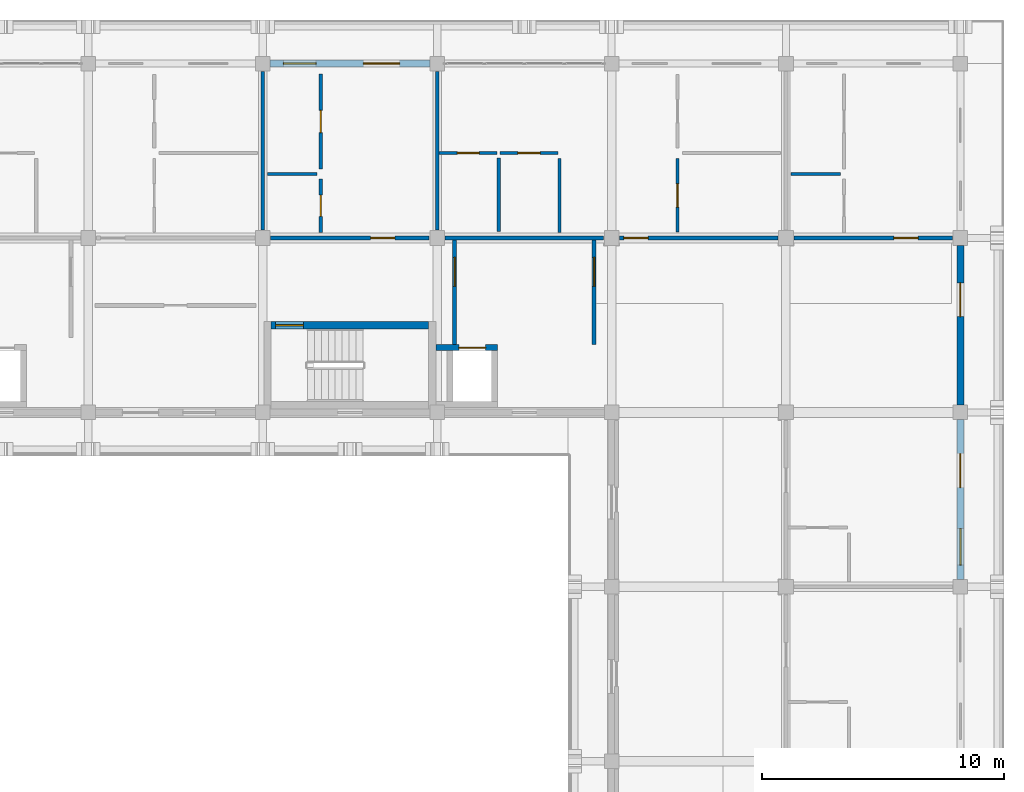
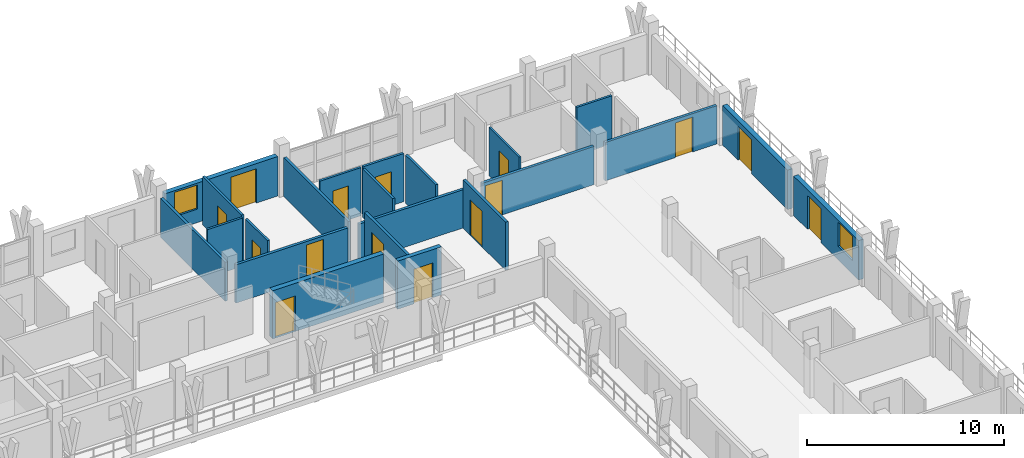
# One storey, part 59 of 76: 22 walls, 15 doors, 2 windows, 17 openings.
"""IFC4 building model written with IfcOpenShell, lengths in metres."""

from ifc_helpers import new_model, si_unit, direction, frame, frame_2d, origin, place, context, subcontext, project, spatial, rectangle, extrude, material, layer, layer_set, type_object, element, fill, save


model = new_model("IFC4")

# Units and contexts
model_context = context("Model", 3, precision=1e-05, world=origin(), true_north=direction((0.0, 1.0)))
body_context = subcontext(model_context, "Body", "Model", "MODEL_VIEW")
ifc_project = project(units=[si_unit("LENGTHUNIT", "METRE"), si_unit("AREAUNIT", "SQUARE_METRE"), si_unit("VOLUMEUNIT", "CUBIC_METRE"), si_unit("PLANEANGLEUNIT", "RADIAN"), si_unit("MASSUNIT", "GRAM", prefix="KILO")], contexts=[model_context])

# Site, building, storey
site_placement = place(None, origin())
site = spatial("IfcSite", under=ifc_project, at=site_placement, CompositionType="ELEMENT")
building_placement = place(site_placement, origin())
building = spatial("IfcBuilding", under=site, at=building_placement, Name="Suanplinth Sawtooth Commons", CompositionType="ELEMENT")
storey_placement = place(building_placement, frame((0.0, 0.0, 12.199951171875)))
storey = spatial("IfcBuildingStorey", under=building, at=storey_placement, Name="L03", CompositionType="ELEMENT", Elevation=12.199951171875)

# Wall, opening, door
ifc_material_1 = material(Name="Concrete C40/50", Category="concrete")
ifc_layer_1 = layer(ifc_material_1, 0.300048828125, Name="Standard RC stair and lift core wall 300mm")
ifc_layer_set_1 = layer_set([ifc_layer_1], Name="Concrete C40/50")
wall_type_1 = type_object("IfcWallType", Name="W-CR02", PredefinedType="SHEAR", material=ifc_layer_set_1)
wall_1_placement = place(storey_placement, frame((158.75, 111.60009765625, 0.0), z_axis=(0.0, 0.0, 1.0), x_axis=(1.0, 0.0, 0.0)))
wall_1 = element("IfcWall", 1, at=wall_1_placement, inside=storey, type_object=wall_type_1, Name="W-L03-C-B2-STN", PredefinedType="SHEAR", context=body_context, shape_type="SweptSolid", body=[
    extrude(rectangle(XDim=6.5, YDim=0.300048828125, at=frame_2d((3.25, 0.0))), origin(), (0.0, 0.0, 1.0), 2.97998046875),
])
opening_1_placement = place(wall_1_placement, frame((0.179931640625, 0.0, 0.0)))
opening_1 = element("IfcOpeningElement", 2, at=opening_1_placement, cuts=wall_1, Name="Opening FD0236", PredefinedType="OPENING", context=body_context, shape_type="SweptSolid", body=[
    extrude(rectangle(XDim=1.14990234375, YDim=2.199951171875, at=frame_2d((0.574951171875, 1.10009765625))), frame((0.0, 0.1650390625, 0.0), z_axis=(0.0, -1.0, 0.0), x_axis=(1.0, 0.0, 0.0)), (0.0, 0.0, 1.0), 0.329833984375),
])
ifc_material_2 = material(Name="Teak hardwood fire-rated door assembly", Category="wood")
door_type_1 = type_object("IfcDoorType", Name="FD-01", OperationType="NOTDEFINED", PredefinedType="DOOR", material=ifc_material_2)
door_1_placement = place(opening_1_placement, frame((1.14990234375, 0.0, 0.0), z_axis=(0.0, 0.0, 1.0), x_axis=(-1.0, 0.0, 0.0)))
door_1 = element("IfcDoor", 3, at=door_1_placement, inside=storey, type_object=door_type_1, Name="Exit Stair Fire Door FD0236", OperationType="SINGLE_SWING_LEFT", OverallHeight=2.199951171875, OverallWidth=1.14990234375, PredefinedType="DOOR", context=body_context, shape_type="SweptSolid", body=[
    extrude(rectangle(XDim=1.14990234375, YDim=2.199951171875, at=frame_2d((0.574951171875, 1.10009765625))), frame((0.0, 0.02490234375, 0.0), z_axis=(0.0, -1.0, 0.0), x_axis=(1.0, 0.0, 0.0)), (0.0, 0.0, 1.0), 0.050048828125),
])
fill(opening_1, door_1)

# Wall, openings, door, window
ifc_material_3 = material(Name="Precast concrete C40/50", Category="concrete")
ifc_layer_2 = layer(ifc_material_3, 0.280029296875, Name="Insulated precast architectural facade wall 280mm")
ifc_layer_set_2 = layer_set([ifc_layer_2], Name="Precast concrete C40/50")
wall_type_2 = type_object("IfcWallType", Name="W-EX01", PredefinedType="ELEMENTEDWALL", material=ifc_layer_set_2)
wall_2_placement = place(storey_placement, frame((158.699951171875, 122.39990234375, 0.0), z_axis=(0.0, 0.0, 1.0), x_axis=(1.0, 0.0, 0.0)))
wall_2 = element("IfcWall", 4, at=wall_2_placement, inside=storey, type_object=wall_type_2, Name="Facade Wall W-L03-B-N-22-16", PredefinedType="ELEMENTEDWALL", context=body_context, shape_type="SweptSolid", body=[
    extrude(rectangle(XDim=6.60009765625, YDim=0.280029296875, at=frame_2d((3.300048828125, 0.0))), origin(), (0.0, 0.0, 1.0), 2.445068359375),
])
opening_2_placement = place(wall_2_placement, frame((3.85009765625, 0.0, 0.0)))
opening_2 = element("IfcOpeningElement", 5, at=opening_2_placement, cuts=wall_2, Name="Opening ED0253", PredefinedType="OPENING", context=body_context, shape_type="SweptSolid", body=[
    extrude(rectangle(XDim=1.5, YDim=2.1201171875, at=frame_2d((0.75, 1.06005859375))), frame((0.0, 0.15478515625, 0.0), z_axis=(0.0, -1.0, 0.0), x_axis=(1.0, 0.0, 0.0)), (0.0, 0.0, 1.0), 0.309814453125),
])
opening_3_placement = place(wall_2_placement, frame((0.550048828125, 0.0, 0.8349609375)))
opening_3 = element("IfcOpeningElement", 6, at=opening_3_placement, cuts=wall_2, Name="Opening W0362", PredefinedType="OPENING", context=body_context, shape_type="SweptSolid", body=[
    extrude(rectangle(XDim=1.35009765625, YDim=1.5, at=frame_2d((0.675048828125, 0.75))), frame((0.0, 0.15478515625, 0.0), z_axis=(0.0, -1.0, 0.0), x_axis=(1.0, 0.0, 0.0)), (0.0, 0.0, 1.0), 0.309814453125),
])
ifc_material_4 = material(Name="Anodized aluminium and low-E glass", Category="aluminium")
door_type_2 = type_object("IfcDoorType", Name="SD-03", OperationType="SLIDING_TO_LEFT", PredefinedType="DOOR", material=ifc_material_4)
door_2_placement = place(opening_2_placement, frame((1.5, 0.0, 0.0), z_axis=(0.0, 0.0, 1.0), x_axis=(-1.0, 0.0, 0.0)))
door_2 = element("IfcDoor", 7, at=door_2_placement, inside=storey, type_object=door_type_2, Name="Balcony Sliding Door L03-B-22", OperationType="SLIDING_TO_LEFT", OverallHeight=2.1201171875, OverallWidth=1.5, PredefinedType="DOOR", context=body_context, shape_type="SweptSolid", body=[
    extrude(rectangle(XDim=1.5, YDim=2.1201171875, at=frame_2d((0.75, 1.06005859375))), frame((0.0, 0.02490234375, 0.0), z_axis=(0.0, -1.0, 0.0), x_axis=(1.0, 0.0, 0.0)), (0.0, 0.0, 1.0), 0.050048828125),
])
fill(opening_2, door_2)
ifc_material_5 = material(Name="Thermally broken aluminium and low-E double glazing", Category="aluminium")
window_type_1 = type_object("IfcWindowType", Name="WN-14", PartitioningType="SINGLE_PANEL", PredefinedType="WINDOW", material=ifc_material_5)
window_1_placement = place(opening_3_placement, origin())
window_1 = element("IfcWindow", 8, at=window_1_placement, inside=storey, type_object=window_type_1, Name="Apartment Window L03-B-22", OverallHeight=1.5, OverallWidth=1.35009765625, PartitioningType="SINGLE_PANEL", PredefinedType="WINDOW", context=body_context, shape_type="SweptSolid", body=[
    extrude(rectangle(XDim=1.35009765625, YDim=1.5, at=frame_2d((0.675048828125, 0.75))), frame((0.0, 0.030029296875, 0.0), z_axis=(0.0, -1.0, 0.0), x_axis=(1.0, 0.0, 0.0)), (0.0, 0.0, 1.0), 0.06005859375),
])
fill(opening_3, window_1)

wall_3_placement = place(storey_placement, frame((187.199951171875, 101.10009765625, 0.0), z_axis=(0.0, 0.0, 1.0), x_axis=(0.0, 1.0, 0.0)))
wall_3 = element("IfcWall", 9, at=wall_3_placement, inside=storey, type_object=wall_type_2, Name="Facade Wall W-L03-B-E-25-14", PredefinedType="ELEMENTEDWALL", context=body_context, shape_type="SweptSolid", body=[
    extrude(rectangle(XDim=6.599853515625, YDim=0.280029296875, at=frame_2d((3.2998046875, 0.0))), origin(), (0.0, 0.0, 1.0), 2.445068359375),
])
opening_4_placement = place(wall_3_placement, frame((3.800048828125, 0.0, 0.0)))
opening_4 = element("IfcOpeningElement", 10, at=opening_4_placement, cuts=wall_3, Name="Opening ED0263", PredefinedType="OPENING", context=body_context, shape_type="SweptSolid", body=[
    extrude(rectangle(XDim=1.39990234375, YDim=2.10009765625, at=frame_2d((0.699951171875, 1.050048828125))), frame((0.0, 0.15478515625, 0.0), z_axis=(0.0, -1.0, 0.0), x_axis=(1.0, 0.0, 0.0)), (0.0, 0.0, 1.0), 0.309814453125),
])
opening_5_placement = place(wall_3_placement, frame((0.60009765625, 0.0, 0.8349609375)))
opening_5 = element("IfcOpeningElement", 11, at=opening_5_placement, cuts=wall_3, Name="Opening W0369", PredefinedType="OPENING", context=body_context, shape_type="SweptSolid", body=[
    extrude(rectangle(XDim=1.5, YDim=1.5, at=frame_2d((0.75, 0.75))), frame((0.0, 0.15478515625, 0.0), z_axis=(0.0, -1.0, 0.0), x_axis=(1.0, 0.0, 0.0)), (0.0, 0.0, 1.0), 0.309814453125),
])
door_type_3 = type_object("IfcDoorType", Name="SD-07", OperationType="SLIDING_TO_RIGHT", PredefinedType="DOOR", material=ifc_material_4)
door_3_placement = place(opening_4_placement, frame((1.39990234375, 0.0, 0.0), z_axis=(0.0, 0.0, 1.0), x_axis=(-1.0, 0.0, 0.0)))
door_3 = element("IfcDoor", 12, at=door_3_placement, inside=storey, type_object=door_type_3, Name="Wing Balcony Sliding Door L03-B-14", OperationType="SLIDING_TO_RIGHT", OverallHeight=2.10009765625, OverallWidth=1.39990234375, PredefinedType="DOOR", context=body_context, shape_type="SweptSolid", body=[
    extrude(rectangle(XDim=1.39990234375, YDim=2.10009765625, at=frame_2d((0.699951171875, 1.050048828125))), frame((0.0, 0.02490234375, 0.0), z_axis=(0.0, -1.0, 0.0), x_axis=(1.0, 0.0, 0.0)), (0.0, 0.0, 1.0), 0.050048828125),
])
fill(opening_4, door_3)
window_type_2 = type_object("IfcWindowType", Name="WN-02", PartitioningType="DOUBLE_PANEL_VERTICAL", PredefinedType="WINDOW", material=ifc_material_5)
window_2_placement = place(opening_5_placement, origin())
window_2 = element("IfcWindow", 13, at=window_2_placement, inside=storey, type_object=window_type_2, Name="Wing Window L03-B-14", OverallHeight=1.5, OverallWidth=1.5, PartitioningType="DOUBLE_PANEL_VERTICAL", PredefinedType="WINDOW", context=body_context, shape_type="SweptSolid", body=[
    extrude(rectangle(XDim=1.5, YDim=1.5, at=frame_2d((0.75, 0.75))), frame((0.0, 0.030029296875, 0.0), z_axis=(0.0, -1.0, 0.0), x_axis=(1.0, 0.0, 0.0)), (0.0, 0.0, 1.0), 0.06005859375),
])
fill(opening_5, window_2)

# Wall, opening, door
wall_4_placement = place(storey_placement, frame((187.199951171875, 108.300048828125, 0.0), z_axis=(0.0, 0.0, 1.0), x_axis=(0.0, 1.0, 0.0)))
wall_4 = element("IfcWall", 14, at=wall_4_placement, inside=storey, type_object=wall_type_2, Name="Facade Wall W-L03-B-E-25-15", PredefinedType="ELEMENTEDWALL", context=body_context, shape_type="SweptSolid", body=[
    extrude(rectangle(XDim=6.599853515625, YDim=0.280029296875, at=frame_2d((3.2998046875, 0.0))), origin(), (0.0, 0.0, 1.0), 2.445068359375),
])
opening_6_placement = place(wall_4_placement, frame((3.64990234375, 0.0, 0.0)))
opening_6 = element("IfcOpeningElement", 15, at=opening_6_placement, cuts=wall_4, Name="Opening ED0264", PredefinedType="OPENING", context=body_context, shape_type="SweptSolid", body=[
    extrude(rectangle(XDim=1.39990234375, YDim=2.10009765625, at=frame_2d((0.699951171875, 1.050048828125))), frame((0.0, 0.15478515625, 0.0), z_axis=(0.0, -1.0, 0.0), x_axis=(1.0, 0.0, 0.0)), (0.0, 0.0, 1.0), 0.309814453125),
])
door_4_placement = place(opening_6_placement, frame((1.39990234375, 0.0, 0.0), z_axis=(0.0, 0.0, 1.0), x_axis=(-1.0, 0.0, 0.0)))
door_4 = element("IfcDoor", 16, at=door_4_placement, inside=storey, type_object=door_type_3, Name="End Balcony Sliding Door L03-B-E-25-15", OperationType="SLIDING_TO_RIGHT", OverallHeight=2.10009765625, OverallWidth=1.39990234375, PredefinedType="DOOR", context=body_context, shape_type="SweptSolid", body=[
    extrude(rectangle(XDim=1.39990234375, YDim=2.10009765625, at=frame_2d((0.699951171875, 1.050048828125))), frame((0.0, 0.02490234375, 0.0), z_axis=(0.0, -1.0, 0.0), x_axis=(1.0, 0.0, 0.0)), (0.0, 0.0, 1.0), 0.050048828125),
])
fill(opening_6, door_4)

ifc_layer_3 = layer(ifc_material_3, 0.159912109375, Name="Fire-rated corridor and lobby wall 160mm")
ifc_layer_set_3 = layer_set([ifc_layer_3], Name="Precast concrete C40/50")
wall_type_3 = type_object("IfcWallType", Name="W-FW01", PredefinedType="PARTITIONING", material=ifc_layer_set_3)
wall_5_placement = place(storey_placement, frame((166.320068359375, 110.800048828125, 0.0), z_axis=(0.0, 0.0, 1.0), x_axis=(0.0, 1.0, 0.0)))
wall_5 = element("IfcWall", 17, at=wall_5_placement, inside=storey, type_object=wall_type_3, Name="W-L03-C-B2-LOB-W", PredefinedType="PARTITIONING", context=body_context, shape_type="SweptSolid", body=[
    extrude(rectangle(XDim=4.320068359375, YDim=0.159912109375, at=frame_2d((2.16015625, 0.0))), origin(), (0.0, 0.0, 1.0), 2.97998046875),
])
opening_7_placement = place(wall_5_placement, frame((2.39990234375, 0.0, 0.0)))
opening_7 = element("IfcOpeningElement", 18, at=opening_7_placement, cuts=wall_5, Name="Opening FD0237", PredefinedType="OPENING", context=body_context, shape_type="SweptSolid", body=[
    extrude(rectangle(XDim=1.199951171875, YDim=2.199951171875, at=frame_2d((0.60009765625, 1.10009765625))), frame((0.0, 0.0947265625, 0.0), z_axis=(0.0, -1.0, 0.0), x_axis=(1.0, 0.0, 0.0)), (0.0, 0.0, 1.0), 0.189697265625),
])
door_type_4 = type_object("IfcDoorType", Name="FD-02", OperationType="NOTDEFINED", PredefinedType="DOOR", material=ifc_material_2)
door_5_placement = place(opening_7_placement, origin())
door_5 = element("IfcDoor", 19, at=door_5_placement, inside=storey, type_object=door_type_4, Name="Lobby Fire Door FD0237", OperationType="SINGLE_SWING_RIGHT", OverallHeight=2.199951171875, OverallWidth=1.199951171875, PredefinedType="DOOR", context=body_context, shape_type="SweptSolid", body=[
    extrude(rectangle(XDim=1.199951171875, YDim=2.199951171875, at=frame_2d((0.60009765625, 1.10009765625))), frame((0.0, 0.02490234375, 0.0), z_axis=(0.0, -1.0, 0.0), x_axis=(1.0, 0.0, 0.0)), (0.0, 0.0, 1.0), 0.050048828125),
])
fill(opening_7, door_5)

wall_6_placement = place(storey_placement, frame((172.080078125, 110.800048828125, 0.0), z_axis=(0.0, 0.0, 1.0), x_axis=(0.0, 1.0, 0.0)))
wall_6 = element("IfcWall", 20, at=wall_6_placement, inside=storey, type_object=wall_type_3, Name="W-L03-C-B2-LOB-E", PredefinedType="PARTITIONING", context=body_context, shape_type="SweptSolid", body=[
    extrude(rectangle(XDim=4.320068359375, YDim=0.159912109375, at=frame_2d((2.16015625, 0.0))), origin(), (0.0, 0.0, 1.0), 2.97998046875),
])
opening_8_placement = place(wall_6_placement, frame((2.39990234375, 0.0, 0.0)))
opening_8 = element("IfcOpeningElement", 21, at=opening_8_placement, cuts=wall_6, Name="Opening FD0238", PredefinedType="OPENING", context=body_context, shape_type="SweptSolid", body=[
    extrude(rectangle(XDim=1.199951171875, YDim=2.199951171875, at=frame_2d((0.60009765625, 1.10009765625))), frame((0.0, 0.0947265625, 0.0), z_axis=(0.0, -1.0, 0.0), x_axis=(1.0, 0.0, 0.0)), (0.0, 0.0, 1.0), 0.189697265625),
])
door_6_placement = place(opening_8_placement, frame((1.199951171875, 0.0, 0.0), z_axis=(0.0, 0.0, 1.0), x_axis=(-1.0, 0.0, 0.0)))
door_6 = element("IfcDoor", 22, at=door_6_placement, inside=storey, type_object=door_type_4, Name="Lobby Fire Door FD0238", OperationType="SINGLE_SWING_LEFT", OverallHeight=2.199951171875, OverallWidth=1.199951171875, PredefinedType="DOOR", context=body_context, shape_type="SweptSolid", body=[
    extrude(rectangle(XDim=1.199951171875, YDim=2.199951171875, at=frame_2d((0.60009765625, 1.10009765625))), frame((0.0, 0.02490234375, 0.0), z_axis=(0.0, -1.0, 0.0), x_axis=(1.0, 0.0, 0.0)), (0.0, 0.0, 1.0), 0.050048828125),
])
fill(opening_8, door_6)

wall_7_placement = place(storey_placement, frame((158.72998046875, 115.199951171875, 0.0), z_axis=(0.0, 0.0, 1.0), x_axis=(1.0, 0.0, 0.0)))
wall_7 = element("IfcWall", 23, at=wall_7_placement, inside=storey, type_object=wall_type_3, Name="W-B-L03-U04-COR", PredefinedType="PARTITIONING", context=body_context, shape_type="SweptSolid", body=[
    extrude(rectangle(XDim=6.5400390625, YDim=0.159912109375, at=frame_2d((3.27001953125, 0.0))), origin(), (0.0, 0.0, 1.0), 2.364990234375),
])
opening_9_placement = place(wall_7_placement, frame((4.1201171875, 0.0, 0.0)))
opening_9 = element("IfcOpeningElement", 24, at=opening_9_placement, cuts=wall_7, Name="Opening FD0935", PredefinedType="OPENING", context=body_context, shape_type="SweptSolid", body=[
    extrude(rectangle(XDim=1.0, YDim=2.14990234375, at=frame_2d((0.5, 1.074951171875))), frame((0.0, 0.0947265625, 0.0), z_axis=(0.0, -1.0, 0.0), x_axis=(1.0, 0.0, 0.0)), (0.0, 0.0, 1.0), 0.189697265625),
])
door_type_5 = type_object("IfcDoorType", Name="FD-03", OperationType="NOTDEFINED", PredefinedType="DOOR", material=ifc_material_2)
door_7_placement = place(opening_9_placement, origin())
door_7 = element("IfcDoor", 25, at=door_7_placement, inside=storey, type_object=door_type_5, Name="Unit Entrance Door FD0935", OperationType="SINGLE_SWING_LEFT", OverallHeight=2.14990234375, OverallWidth=1.0, PredefinedType="DOOR", context=body_context, shape_type="SweptSolid", body=[
    extrude(rectangle(XDim=1.0, YDim=2.14990234375, at=frame_2d((0.5, 1.074951171875))), frame((0.0, 0.02490234375, 0.0), z_axis=(0.0, -1.0, 0.0), x_axis=(1.0, 0.0, 0.0)), (0.0, 0.0, 1.0), 0.050048828125),
])
fill(opening_9, door_7)

# Wall
wall_8_placement = place(storey_placement, frame((165.929931640625, 115.199951171875, 0.0), z_axis=(0.0, 0.0, 1.0), x_axis=(1.0, 0.0, 0.0)))
element("IfcWall", 26, at=wall_8_placement, inside=storey, type_object=wall_type_3, Name="W-B-L03-U05-COR-S1", PredefinedType="PARTITIONING", context=body_context, shape_type="SweptSolid", body=[
    extrude(rectangle(XDim=6.5400390625, YDim=0.159912109375, at=frame_2d((3.27001953125, 0.0))), origin(), (0.0, 0.0, 1.0), 2.364990234375),
])

# Wall, opening, door
wall_9_placement = place(storey_placement, frame((173.1298828125, 115.199951171875, 0.0), z_axis=(0.0, 0.0, 1.0), x_axis=(1.0, 0.0, 0.0)))
wall_9 = element("IfcWall", 27, at=wall_9_placement, inside=storey, type_object=wall_type_3, Name="W-B-L03-U05-COR-S2", PredefinedType="PARTITIONING", context=body_context, shape_type="SweptSolid", body=[
    extrude(rectangle(XDim=6.5400390625, YDim=0.159912109375, at=frame_2d((3.27001953125, 0.0))), origin(), (0.0, 0.0, 1.0), 2.364990234375),
])
opening_10_placement = place(wall_9_placement, frame((0.179931640625, 0.0, 0.0)))
opening_10 = element("IfcOpeningElement", 28, at=opening_10_placement, cuts=wall_9, Name="Opening FD0938", PredefinedType="OPENING", context=body_context, shape_type="SweptSolid", body=[
    extrude(rectangle(XDim=1.0, YDim=2.14990234375, at=frame_2d((0.5, 1.074951171875))), frame((0.0, 0.0947265625, 0.0), z_axis=(0.0, -1.0, 0.0), x_axis=(1.0, 0.0, 0.0)), (0.0, 0.0, 1.0), 0.189697265625),
])
door_8_placement = place(opening_10_placement, origin())
door_8 = element("IfcDoor", 29, at=door_8_placement, inside=storey, type_object=door_type_5, Name="Unit Entrance Door FD0938", OperationType="SINGLE_SWING_RIGHT", OverallHeight=2.14990234375, OverallWidth=1.0, PredefinedType="DOOR", context=body_context, shape_type="SweptSolid", body=[
    extrude(rectangle(XDim=1.0, YDim=2.14990234375, at=frame_2d((0.5, 1.074951171875))), frame((0.0, 0.02490234375, 0.0), z_axis=(0.0, -1.0, 0.0), x_axis=(1.0, 0.0, 0.0)), (0.0, 0.0, 1.0), 0.050048828125),
])
fill(opening_10, door_8)

wall_10_placement = place(storey_placement, frame((180.330078125, 115.199951171875, 0.0), z_axis=(0.0, 0.0, 1.0), x_axis=(1.0, 0.0, 0.0)))
wall_10 = element("IfcWall", 30, at=wall_10_placement, inside=storey, type_object=wall_type_3, Name="W-B-L03-U06-COR", PredefinedType="PARTITIONING", context=body_context, shape_type="SweptSolid", body=[
    extrude(rectangle(XDim=6.5400390625, YDim=0.159912109375, at=frame_2d((3.27001953125, 0.0))), origin(), (0.0, 0.0, 1.0), 2.364990234375),
])
opening_11_placement = place(wall_10_placement, frame((4.1201171875, 0.0, 0.0)))
opening_11 = element("IfcOpeningElement", 31, at=opening_11_placement, cuts=wall_10, Name="Opening FD0943", PredefinedType="OPENING", context=body_context, shape_type="SweptSolid", body=[
    extrude(rectangle(XDim=1.0, YDim=2.14990234375, at=frame_2d((0.5, 1.074951171875))), frame((0.0, 0.0947265625, 0.0), z_axis=(0.0, -1.0, 0.0), x_axis=(1.0, 0.0, 0.0)), (0.0, 0.0, 1.0), 0.189697265625),
])
door_9_placement = place(opening_11_placement, origin())
door_9 = element("IfcDoor", 32, at=door_9_placement, inside=storey, type_object=door_type_5, Name="Unit Entrance Door FD0943", OperationType="SINGLE_SWING_LEFT", OverallHeight=2.14990234375, OverallWidth=1.0, PredefinedType="DOOR", context=body_context, shape_type="SweptSolid", body=[
    extrude(rectangle(XDim=1.0, YDim=2.14990234375, at=frame_2d((0.5, 1.074951171875))), frame((0.0, 0.02490234375, 0.0), z_axis=(0.0, -1.0, 0.0), x_axis=(1.0, 0.0, 0.0)), (0.0, 0.0, 1.0), 0.050048828125),
])
fill(opening_11, door_9)

# Walls
ifc_layer_4 = layer(ifc_material_3, 0.14990234375, Name="Acoustic precast party demising wall 150mm")
ifc_layer_set_4 = layer_set([ifc_layer_4], Name="Precast concrete C40/50")
wall_type_4 = type_object("IfcWallType", Name="W-FW02", PredefinedType="PARTITIONING", material=ifc_layer_set_4)
for number, where, z_axis, x_axis, name in (
    (33, (158.39990234375, 115.530029296875, 0.0), (0.0, 0.0, 1.0), (0.0, 1.0, 0.0), "W-B-L03-U03-PTY"),
    (34, (165.60009765625, 115.530029296875, 0.0), (0.0, 0.0, 1.0), (0.0, 1.0, 0.0), "W-B-L03-U04-PTY"),
):
    element("IfcWall", number, at=place(storey_placement, frame(where, z_axis=z_axis, x_axis=x_axis)), inside=storey, type_object=wall_type_4, Name=name, PredefinedType="PARTITIONING", context=body_context, shape_type="SweptSolid", body=[
        extrude(rectangle(XDim=6.5400390625, YDim=0.14990234375, at=frame_2d((3.27001953125, 0.0))), origin(), (0.0, 0.0, 1.0), 2.4150390625),
    ])

# Wall, opening, door
ifc_material_6 = material(Name="Gypsum plasterboard on steel stud", Category="steel")
ifc_layer_5 = layer(ifc_material_6, 0.139892578125, Name="Fire-rated kitchen partition 140mm")
ifc_layer_set_5 = layer_set([ifc_layer_5], Name="Gypsum plasterboard on steel stud")
wall_type_5 = type_object("IfcWallType", Name="W-PT01", PredefinedType="PARTITIONING", material=ifc_layer_set_5)
wall_11_placement = place(storey_placement, frame((160.794921875, 118.0400390625, 0.0), z_axis=(0.0, 0.0, 1.0), x_axis=(0.0, 1.0, 0.0)))
wall_11 = element("IfcWall", 35, at=wall_11_placement, inside=storey, type_object=wall_type_5, Name="W-B-L03-U04-KITE", PredefinedType="PARTITIONING", context=body_context, shape_type="SweptSolid", body=[
    extrude(rectangle(XDim=3.93994140625, YDim=0.139892578125, at=frame_2d((1.969970703125, 0.0))), origin(), (0.0, 0.0, 1.0), 2.97998046875),
])
opening_12_placement = place(wall_11_placement, frame((1.510009765625, 0.0, 0.0)))
opening_12 = element("IfcOpeningElement", 36, at=opening_12_placement, cuts=wall_11, Name="Opening D0937", PredefinedType="OPENING", context=body_context, shape_type="SweptSolid", body=[
    extrude(rectangle(XDim=0.919921875, YDim=2.10009765625, at=frame_2d((0.4599609375, 1.050048828125))), frame((0.0, 0.0849609375, 0.0), z_axis=(0.0, -1.0, 0.0), x_axis=(1.0, 0.0, 0.0)), (0.0, 0.0, 1.0), 0.169677734375),
])
ifc_material_7 = material(Name="Teak hardwood", Category="wood")
door_type_6 = type_object("IfcDoorType", Name="D-02", OperationType="NOTDEFINED", PredefinedType="DOOR", material=ifc_material_7)
door_10_placement = place(opening_12_placement, origin())
door_10 = element("IfcDoor", 37, at=door_10_placement, inside=storey, type_object=door_type_6, Name="Kitchen Door D0937", OperationType="SINGLE_SWING_LEFT", OverallHeight=2.10009765625, OverallWidth=0.919921875, PredefinedType="DOOR", context=body_context, shape_type="SweptSolid", body=[
    extrude(rectangle(XDim=0.919921875, YDim=2.10009765625, at=frame_2d((0.4599609375, 1.050048828125))), frame((0.0, 0.02490234375, 0.0), z_axis=(0.0, -1.0, 0.0), x_axis=(1.0, 0.0, 0.0)), (0.0, 0.0, 1.0), 0.050048828125),
])
fill(opening_12, door_10)

wall_12_placement = place(storey_placement, frame((168.199951171875, 118.7099609375, 0.0), z_axis=(0.0, 0.0, 1.0), x_axis=(1.0, 0.0, 0.0)))
wall_12 = element("IfcWall", 38, at=wall_12_placement, inside=storey, type_object=wall_type_5, Name="W-B-L03-U05-KIT1", PredefinedType="PARTITIONING", context=body_context, shape_type="SweptSolid", body=[
    extrude(rectangle(XDim=2.380126953125, YDim=0.139892578125, at=frame_2d((1.18994140625, 0.0))), origin(), (0.0, 0.0, 1.0), 2.97998046875),
])
opening_13_placement = place(wall_12_placement, frame((0.72998046875, 0.0, 0.0)))
opening_13 = element("IfcOpeningElement", 39, at=opening_13_placement, cuts=wall_12, Name="Opening D0940", PredefinedType="OPENING", context=body_context, shape_type="SweptSolid", body=[
    extrude(rectangle(XDim=0.919921875, YDim=2.10009765625, at=frame_2d((0.4599609375, 1.050048828125))), frame((0.0, 0.0849609375, 0.0), z_axis=(0.0, -1.0, 0.0), x_axis=(1.0, 0.0, 0.0)), (0.0, 0.0, 1.0), 0.169677734375),
])
door_11_placement = place(opening_13_placement, frame((0.919921875, 0.0, 0.0), z_axis=(0.0, 0.0, 1.0), x_axis=(-1.0, 0.0, 0.0)))
door_11 = element("IfcDoor", 40, at=door_11_placement, inside=storey, type_object=door_type_6, Name="Kitchen Door D0940", OperationType="SINGLE_SWING_RIGHT", OverallHeight=2.10009765625, OverallWidth=0.919921875, PredefinedType="DOOR", context=body_context, shape_type="SweptSolid", body=[
    extrude(rectangle(XDim=0.919921875, YDim=2.10009765625, at=frame_2d((0.4599609375, 1.050048828125))), frame((0.0, 0.02490234375, 0.0), z_axis=(0.0, -1.0, 0.0), x_axis=(1.0, 0.0, 0.0)), (0.0, 0.0, 1.0), 0.050048828125),
])
fill(opening_13, door_11)

# Walls
wall_13_placement = place(storey_placement, frame((170.64990234375, 115.429931640625, 0.0), z_axis=(0.0, 0.0, 1.0), x_axis=(0.0, 1.0, 0.0)))
element("IfcWall", 41, at=wall_13_placement, inside=storey, type_object=wall_type_5, Name="W-B-L03-U05-KIT2", PredefinedType="PARTITIONING", context=body_context, shape_type="SweptSolid", body=[
    extrude(rectangle(XDim=3.06005859375, YDim=0.139892578125, at=frame_2d((1.530029296875, 0.0))), origin(), (0.0, 0.0, 1.0), 2.97998046875),
])
ifc_layer_6 = layer(ifc_material_6, 0.1298828125, Name="Moisture-resistant bathroom partition 130mm")
ifc_layer_set_6 = layer_set([ifc_layer_6], Name="Gypsum plasterboard on steel stud")
wall_type_6 = type_object("IfcWallType", Name="W-PT02", PredefinedType="PARTITIONING", material=ifc_layer_set_6)
wall_14_placement = place(storey_placement, frame((158.60009765625, 117.840087890625, 0.0), z_axis=(0.0, 0.0, 1.0), x_axis=(1.0, 0.0, 0.0)))
element("IfcWall", 42, at=wall_14_placement, inside=storey, type_object=wall_type_6, Name="W-B-L03-U04-STDIV", PredefinedType="PARTITIONING", context=body_context, shape_type="SweptSolid", body=[
    extrude(rectangle(XDim=2.0498046875, YDim=0.1298828125, at=frame_2d((1.02490234375, 0.0))), origin(), (0.0, 0.0, 1.0), 2.97998046875),
])

# Wall, opening, door
wall_15_placement = place(storey_placement, frame((160.794921875, 115.419921875, 0.0), z_axis=(0.0, 0.0, 1.0), x_axis=(0.0, 1.0, 0.0)))
wall_15 = element("IfcWall", 43, at=wall_15_placement, inside=storey, type_object=wall_type_6, Name="W-B-L03-U04-BTHE", PredefinedType="PARTITIONING", context=body_context, shape_type="SweptSolid", body=[
    extrude(rectangle(XDim=2.219970703125, YDim=0.1298828125, at=frame_2d((1.10986328125, 0.0))), origin(), (0.0, 0.0, 1.0), 2.97998046875),
])
opening_14_placement = place(wall_15_placement, frame((0.669921875, 0.0, 0.0)))
opening_14 = element("IfcOpeningElement", 44, at=opening_14_placement, cuts=wall_15, Name="Opening D0936", PredefinedType="OPENING", context=body_context, shape_type="SweptSolid", body=[
    extrude(rectangle(XDim=0.8798828125, YDim=2.10009765625, at=frame_2d((0.43994140625, 1.050048828125))), frame((0.0, 0.079833984375, 0.0), z_axis=(0.0, -1.0, 0.0), x_axis=(1.0, 0.0, 0.0)), (0.0, 0.0, 1.0), 0.15966796875),
])
door_type_7 = type_object("IfcDoorType", Name="D-14", OperationType="NOTDEFINED", PredefinedType="DOOR", material=ifc_material_7)
door_12_placement = place(opening_14_placement, origin())
door_12 = element("IfcDoor", 45, at=door_12_placement, inside=storey, type_object=door_type_7, Name="Bathroom Door D0936", OperationType="SINGLE_SWING_RIGHT", OverallHeight=2.10009765625, OverallWidth=0.8798828125, PredefinedType="DOOR", context=body_context, shape_type="SweptSolid", body=[
    extrude(rectangle(XDim=0.8798828125, YDim=2.10009765625, at=frame_2d((0.43994140625, 1.050048828125))), frame((0.0, 0.02490234375, 0.0), z_axis=(0.0, -1.0, 0.0), x_axis=(1.0, 0.0, 0.0)), (0.0, 0.0, 1.0), 0.050048828125),
])
fill(opening_14, door_12)

wall_16_placement = place(storey_placement, frame((165.679931640625, 118.705078125, 0.0), z_axis=(0.0, 0.0, 1.0), x_axis=(1.0, 0.0, 0.0)))
wall_16 = element("IfcWall", 46, at=wall_16_placement, inside=storey, type_object=wall_type_6, Name="W-B-L03-U05-BTH1", PredefinedType="PARTITIONING", context=body_context, shape_type="SweptSolid", body=[
    extrude(rectangle(XDim=2.400146484375, YDim=0.1298828125, at=frame_2d((1.2001953125, 0.0))), origin(), (0.0, 0.0, 1.0), 2.97998046875),
])
opening_15_placement = place(wall_16_placement, frame((0.75, 0.0, 0.0)))
opening_15 = element("IfcOpeningElement", 47, at=opening_15_placement, cuts=wall_16, Name="Opening D0939", PredefinedType="OPENING", context=body_context, shape_type="SweptSolid", body=[
    extrude(rectangle(XDim=0.89990234375, YDim=2.10009765625, at=frame_2d((0.449951171875, 1.050048828125))), frame((0.0, 0.079833984375, 0.0), z_axis=(0.0, -1.0, 0.0), x_axis=(1.0, 0.0, 0.0)), (0.0, 0.0, 1.0), 0.15966796875),
])
door_type_8 = type_object("IfcDoorType", Name="D-01", OperationType="NOTDEFINED", PredefinedType="DOOR", material=ifc_material_7)
door_13_placement = place(opening_15_placement, frame((0.89990234375, 0.0, 0.0), z_axis=(0.0, 0.0, 1.0), x_axis=(-1.0, 0.0, 0.0)))
door_13 = element("IfcDoor", 48, at=door_13_placement, inside=storey, type_object=door_type_8, Name="Bathroom Door D0939", OperationType="SINGLE_SWING_LEFT", OverallHeight=2.10009765625, OverallWidth=0.89990234375, PredefinedType="DOOR", context=body_context, shape_type="SweptSolid", body=[
    extrude(rectangle(XDim=0.89990234375, YDim=2.10009765625, at=frame_2d((0.449951171875, 1.050048828125))), frame((0.0, 0.02490234375, 0.0), z_axis=(0.0, -1.0, 0.0), x_axis=(1.0, 0.0, 0.0)), (0.0, 0.0, 1.0), 0.050048828125),
])
fill(opening_15, door_13)

# Walls
wall_17_placement = place(storey_placement, frame((168.14501953125, 115.4599609375, 0.0), z_axis=(0.0, 0.0, 1.0), x_axis=(0.0, 1.0, 0.0)))
element("IfcWall", 49, at=wall_17_placement, inside=storey, type_object=wall_type_6, Name="W-B-L03-U05-BTH2", PredefinedType="PARTITIONING", context=body_context, shape_type="SweptSolid", body=[
    extrude(rectangle(XDim=3.0400390625, YDim=0.1298828125, at=frame_2d((1.52001953125, 0.0))), origin(), (0.0, 0.0, 1.0), 2.97998046875),
])
wall_18_placement = place(storey_placement, frame((180.199951171875, 117.840087890625, 0.0), z_axis=(0.0, 0.0, 1.0), x_axis=(1.0, 0.0, 0.0)))
element("IfcWall", 50, at=wall_18_placement, inside=storey, type_object=wall_type_6, Name="W-B-L03-U06-STDIV", PredefinedType="PARTITIONING", context=body_context, shape_type="SweptSolid", body=[
    extrude(rectangle(XDim=2.050048828125, YDim=0.1298828125, at=frame_2d((1.02490234375, 0.0))), origin(), (0.0, 0.0, 1.0), 2.97998046875),
])

# Wall, opening, door
ifc_layer_7 = layer(ifc_material_6, 0.1201171875, Name="Acoustic bedroom partition 120mm")
ifc_layer_set_7 = layer_set([ifc_layer_7], Name="Gypsum plasterboard on steel stud")
wall_type_7 = type_object("IfcWallType", Name="W-PT03", PredefinedType="PARTITIONING", material=ifc_layer_set_7)
wall_19_placement = place(storey_placement, frame((175.52001953125, 115.43994140625, 0.0), z_axis=(0.0, 0.0, 1.0), x_axis=(0.0, 1.0, 0.0)))
wall_19 = element("IfcWall", 51, at=wall_19_placement, inside=storey, type_object=wall_type_7, Name="W-B-L03-U05-BED2", PredefinedType="PARTITIONING", context=body_context, shape_type="SweptSolid", body=[
    extrude(rectangle(XDim=3.0400390625, YDim=0.1201171875, at=frame_2d((1.52001953125, 0.0))), origin(), (0.0, 0.0, 1.0), 2.97998046875),
])
opening_16_placement = place(wall_19_placement, frame((1.0400390625, 0.0, 0.0)))
opening_16 = element("IfcOpeningElement", 52, at=opening_16_placement, cuts=wall_19, Name="Opening D0942", PredefinedType="OPENING", context=body_context, shape_type="SweptSolid", body=[
    extrude(rectangle(XDim=0.9599609375, YDim=2.14990234375, at=frame_2d((0.47998046875, 1.074951171875))), frame((0.0, 0.074951171875, 0.0), z_axis=(0.0, -1.0, 0.0), x_axis=(1.0, 0.0, 0.0)), (0.0, 0.0, 1.0), 0.14990234375),
])
door_type_9 = type_object("IfcDoorType", Name="D-13", OperationType="NOTDEFINED", PredefinedType="DOOR", material=ifc_material_7)
door_14_placement = place(opening_16_placement, frame((0.9599609375, 0.0, 0.0), z_axis=(0.0, 0.0, 1.0), x_axis=(-1.0, 0.0, 0.0)))
door_14 = element("IfcDoor", 53, at=door_14_placement, inside=storey, type_object=door_type_9, Name="Second Bedroom Door D0942", OperationType="SINGLE_SWING_RIGHT", OverallHeight=2.14990234375, OverallWidth=0.9599609375, PredefinedType="DOOR", context=body_context, shape_type="SweptSolid", body=[
    extrude(rectangle(XDim=0.9599609375, YDim=2.14990234375, at=frame_2d((0.47998046875, 1.074951171875))), frame((0.0, 0.02490234375, 0.0), z_axis=(0.0, -1.0, 0.0), x_axis=(1.0, 0.0, 0.0)), (0.0, 0.0, 1.0), 0.050048828125),
])
fill(opening_16, door_14)

ifc_layer_8 = layer(ifc_material_3, 0.25, Name="Precast structural shear wall 250mm")
ifc_layer_set_8 = layer_set([ifc_layer_8], Name="Precast concrete C40/50")
wall_type_8 = type_object("IfcWallType", Name="W-SH01", PredefinedType="SHEAR", material=ifc_layer_set_8)
wall_20_placement = place(storey_placement, frame((165.550048828125, 110.675048828125, 0.0), z_axis=(0.0, 0.0, 1.0), x_axis=(1.0, 0.0, 0.0)))
wall_20 = element("IfcWall", 54, at=wall_20_placement, inside=storey, type_object=wall_type_8, Name="W-L03-LF4-N", PredefinedType="SHEAR", context=body_context, shape_type="SweptSolid", body=[
    extrude(rectangle(XDim=2.550048828125, YDim=0.25, at=frame_2d((1.27490234375, 0.0))), origin(), (0.0, 0.0, 1.0), 2.97998046875),
])
opening_17_placement = place(wall_20_placement, frame((0.949951171875, 0.0, 0.0)))
opening_17 = element("IfcOpeningElement", 55, at=opening_17_placement, cuts=wall_20, Name="Opening LD0239", PredefinedType="OPENING", context=body_context, shape_type="SweptSolid", body=[
    extrude(rectangle(XDim=1.10009765625, YDim=2.14990234375, at=frame_2d((0.550048828125, 1.074951171875))), frame((0.0, 0.139892578125, 0.0), z_axis=(0.0, -1.0, 0.0), x_axis=(1.0, 0.0, 0.0)), (0.0, 0.0, 1.0), 0.27978515625),
])
ifc_material_8 = material(Name="Stainless steel Grade 304", Category="steel")
door_type_10 = type_object("IfcDoorType", Name="LD-01", OperationType="SLIDING_TO_LEFT", PredefinedType="DOOR", material=ifc_material_8)
door_15_placement = place(opening_17_placement, origin())
door_15 = element("IfcDoor", 56, at=door_15_placement, inside=storey, type_object=door_type_10, Name="Lift Landing Sliding Door LF4 L03", OperationType="SLIDING_TO_LEFT", OverallHeight=2.14990234375, OverallWidth=1.10009765625, PredefinedType="DOOR", context=body_context, shape_type="SweptSolid", body=[
    extrude(rectangle(XDim=1.10009765625, YDim=2.14990234375, at=frame_2d((0.550048828125, 1.074951171875))), frame((0.0, 0.02490234375, 0.0), z_axis=(0.0, -1.0, 0.0), x_axis=(1.0, 0.0, 0.0)), (0.0, 0.0, 1.0), 0.050048828125),
])
fill(opening_17, door_15)

save(model, "model.ifc")
